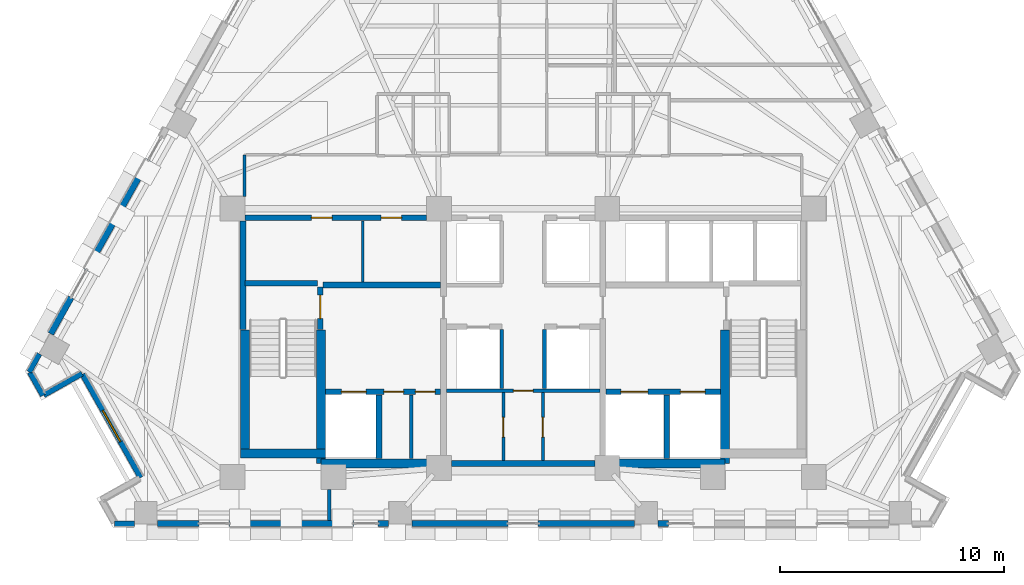
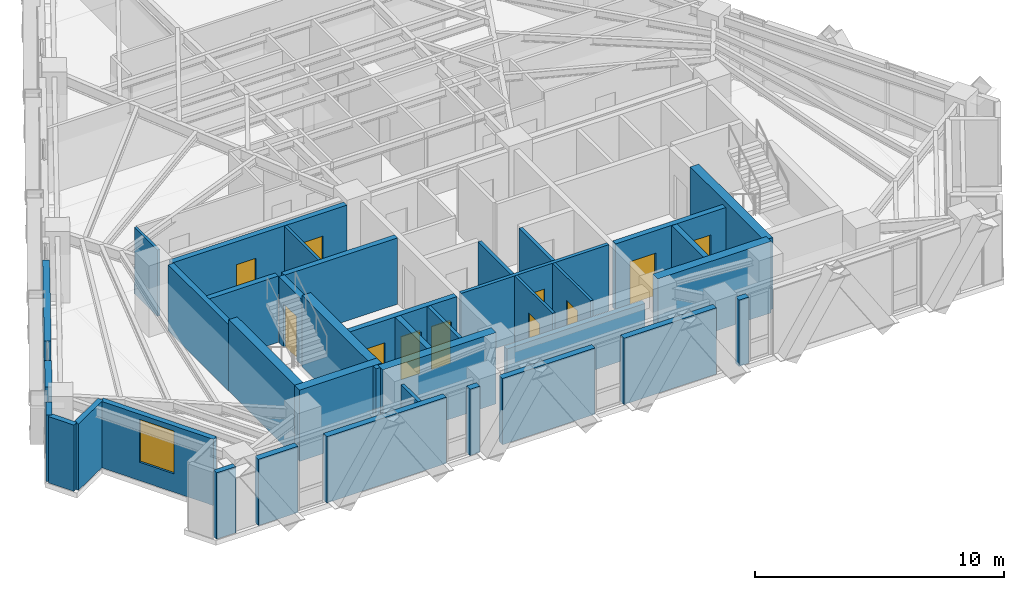
# One storey, part 7 of 14: 38 walls, 11 doors, 1 window, 12 openings.
"""IFC4 building model written with IfcOpenShell, lengths in metres."""

from ifc_helpers import new_model, si_unit, direction, frame, frame_2d, origin, place, context, subcontext, project, spatial, rectangle, extrude, material, layer, layer_set, type_object, element, fill, save


model = new_model("IFC4")

# Units and contexts
model_context = context("Model", 3, precision=1e-05, world=origin(), true_north=direction((0.0, 1.0)))
body_context = subcontext(model_context, "Body", "Model", "MODEL_VIEW")
ifc_project = project(units=[si_unit("LENGTHUNIT", "METRE"), si_unit("AREAUNIT", "SQUARE_METRE"), si_unit("VOLUMEUNIT", "CUBIC_METRE"), si_unit("PLANEANGLEUNIT", "RADIAN"), si_unit("MASSUNIT", "GRAM", prefix="KILO")], contexts=[model_context])

# Site, building, storey
site_placement = place(None, origin())
site = spatial("IfcSite", under=ifc_project, at=site_placement, CompositionType="ELEMENT")
building_placement = place(site_placement, origin())
building = spatial("IfcBuilding", under=site, at=building_placement, Name="Quenlor Broadcast Tower", CompositionType="ELEMENT")
storey_placement = place(building_placement, frame((0.0, 0.0, 168.5)))
storey = spatial("IfcBuildingStorey", under=building, at=storey_placement, Name="L46", CompositionType="ELEMENT", Elevation=168.5)

# Walls
ifc_material_1 = material(Name="Acoustic Double Stud Gypsum Partition", Category="other")
ifc_layer_1 = layer(ifc_material_1, 0.14990234375)
ifc_layer_set_1 = layer_set([ifc_layer_1], Name="Broadcast Studio Acoustic Partition 150")
wall_type_1 = type_object("IfcWallType", Name="Broadcast Studio Acoustic Partition 150", PredefinedType="PARTITIONING", material=ifc_layer_set_1)
wall_1_placement = place(storey_placement, frame((-8.634521484375, -17.302001953125, 0.0), z_axis=(0.0, 0.0, 1.0), x_axis=(0.0, -1.0, 0.0)))
element("IfcWall", 1, at=wall_1_placement, inside=storey, type_object=wall_type_1, Name="L46 Interior Wall PW-DV-07", PredefinedType="PARTITIONING", context=body_context, shape_type="SweptSolid", body=[
    extrude(rectangle(XDim=1.381103515625, YDim=0.14990234375, at=frame_2d((0.6904296875, 0.0))), origin(), (0.0, 0.0, 1.0), 3.25),
])
ifc_material_2 = material(Name="Concrete C50/60", Category="concrete")
ifc_layer_2 = layer(ifc_material_2, 0.39990234375)
ifc_layer_set_2 = layer_set([ifc_layer_2], Name="Core Concrete C50/60 Shear Wall 400")
wall_type_2 = type_object("IfcWallType", Name="Core Concrete C50/60 Shear Wall 400", PredefinedType="SHEAR", material=ifc_layer_set_2)
wall_2_placement = place(storey_placement, frame((-12.60009765625, -15.699951171875, 0.0), z_axis=(0.0, 0.0, 1.0), x_axis=(1.0, 0.0, 0.0)))
element("IfcWall", 2, at=wall_2_placement, inside=storey, type_object=wall_type_2, Name="L46 Core Shear Wall WS-W1", PredefinedType="SHEAR", context=body_context, shape_type="SweptSolid", body=[
    extrude(rectangle(XDim=3.800048828125, YDim=0.39990234375, at=frame_2d((1.89990234375, 0.0))), origin(), (0.0, 0.0, 1.0), 3.5),
])
for number, where, z_axis, x_axis, name in (
    (3, (-9.0, -16.14990234375, 0.0), (0.0, 0.0, 1.0), (1.0, 0.0, 0.0), "L46 Core Shear Wall WS-W2"),
    (4, (3.75, -16.14990234375, 0.0), (0.0, 0.0, 1.0), (1.0, 0.0, 0.0), "L46 Core Shear Wall WS-E1"),
):
    element("IfcWall", number, at=place(storey_placement, frame(where, z_axis=z_axis, x_axis=x_axis)), inside=storey, type_object=wall_type_2, Name=name, PredefinedType="SHEAR", context=body_context, shape_type="SweptSolid", body=[
        extrude(rectangle(XDim=5.25, YDim=0.39990234375, at=frame_2d((2.625, 0.0))), origin(), (0.0, 0.0, 1.0), 3.5),
    ])
wall_3_placement = place(storey_placement, frame((-12.39990234375, -15.699951171875, 0.0), z_axis=(0.0, 0.0, 1.0), x_axis=(0.0, 1.0, 0.0)))
element("IfcWall", 5, at=wall_3_placement, inside=storey, type_object=wall_type_2, Name="L46 Core Shear Wall WF-W", PredefinedType="SHEAR", context=body_context, shape_type="SweptSolid", body=[
    extrude(rectangle(XDim=5.5, YDim=0.39990234375, at=frame_2d((2.75, 0.0))), origin(), (0.0, 0.0, 1.0), 3.5),
])
for number, where, z_axis, x_axis, name in (
    (6, (-9.0, -16.14990234375, 0.0), (0.0, 0.0, 1.0), (0.0, 1.0, 0.0), "L46 Core Shear Wall WI-W"),
    (7, (9.0, -16.14990234375, 0.0), (0.0, 0.0, 1.0), (0.0, 1.0, 0.0), "L46 Core Shear Wall WI-E"),
):
    element("IfcWall", number, at=place(storey_placement, frame(where, z_axis=z_axis, x_axis=x_axis)), inside=storey, type_object=wall_type_2, Name=name, PredefinedType="SHEAR", context=body_context, shape_type="SweptSolid", body=[
        extrude(rectangle(XDim=5.949951171875, YDim=0.39990234375, at=frame_2d((2.97509765625, 0.0))), origin(), (0.0, 0.0, 1.0), 3.5),
    ])

# Wall, opening, door
ifc_material_3 = material(Name="Concrete C40/50", Category="concrete")
ifc_layer_3 = layer(ifc_material_3, 0.25)
ifc_layer_set_3 = layer_set([ifc_layer_3], Name="Fire Rated Concrete C40/50 Core Wall 250")
wall_type_3 = type_object("IfcWallType", Name="Fire Rated Concrete C40/50 Core Wall 250", PredefinedType="PARTITIONING", material=ifc_layer_set_3)
wall_4_placement = place(storey_placement, frame((-9.0400390625, -10.179931640625, 0.0), z_axis=(0.0, 0.0, 1.0), x_axis=(0.0, 1.0, 0.0)))
wall_4 = element("IfcWall", 8, at=wall_4_placement, inside=storey, type_object=wall_type_3, Name="L46 Interior Wall CW-ST1-DR", PredefinedType="PARTITIONING", context=body_context, shape_type="SweptSolid", body=[
    extrude(rectangle(XDim=1.89990234375, YDim=0.25, at=frame_2d((0.949951171875, 0.0))), origin(), (0.0, 0.0, 1.0), 3.25),
])
opening_1_placement = place(wall_4_placement, frame((0.47998046875, 0.0, 0.0)))
opening_1 = element("IfcOpeningElement", 9, at=opening_1_placement, cuts=wall_4, Name="Opening FD-1", PredefinedType="OPENING", context=body_context, shape_type="SweptSolid", body=[
    extrude(rectangle(XDim=1.050048828125, YDim=2.14990234375, at=frame_2d((0.52490234375, 1.074951171875))), frame((0.0, 0.135009765625, 0.0), z_axis=(0.0, -1.0, 0.0), x_axis=(1.0, 0.0, 0.0)), (0.0, 0.0, 1.0), 0.27001953125),
])
ifc_material_4 = material(Name="Fire Rated Steel Door Leaf", Category="steel")
door_type_1 = type_object("IfcDoorType", Name="Fire Isolated Stair Door 1050x2150", OperationType="NOTDEFINED", PredefinedType="DOOR", material=ifc_material_4)
door_1_placement = place(opening_1_placement, origin())
door_1 = element("IfcDoor", 10, at=door_1_placement, inside=storey, type_object=door_type_1, Name="L46 Door DR-ST1", OperationType="SINGLE_SWING_LEFT", OverallHeight=2.14990234375, OverallWidth=1.050048828125, PredefinedType="DOOR", context=body_context, shape_type="SweptSolid", body=[
    extrude(rectangle(XDim=1.050048828125, YDim=2.14990234375, at=frame_2d((0.52490234375, 1.074951171875))), frame((0.0, 0.02490234375, 0.0), z_axis=(0.0, -1.0, 0.0), x_axis=(1.0, 0.0, 0.0)), (0.0, 0.0, 1.0), 0.050048828125),
])
fill(opening_1, door_1)

# Walls
wall_5_placement = place(storey_placement, frame((-12.3798828125, -8.1201171875, 0.0), z_axis=(0.0, 0.0, 1.0), x_axis=(1.0, 0.0, 0.0)))
element("IfcWall", 11, at=wall_5_placement, inside=storey, type_object=wall_type_3, Name="L46 Interior Wall CW-ST1-N", PredefinedType="PARTITIONING", context=body_context, shape_type="SweptSolid", body=[
    extrude(rectangle(XDim=3.219970703125, YDim=0.25, at=frame_2d((1.60986328125, 0.0))), origin(), (0.0, 0.0, 1.0), 3.25),
])
wall_6_placement = place(storey_placement, frame((-12.47998046875, -10.179931640625, 0.0), z_axis=(0.0, 0.0, 1.0), x_axis=(0.0, 1.0, 0.0)))
element("IfcWall", 12, at=wall_6_placement, inside=storey, type_object=wall_type_3, Name="L46 Interior Wall CW-ST1-W2", PredefinedType="PARTITIONING", context=body_context, shape_type="SweptSolid", body=[
    extrude(rectangle(XDim=4.827880859375, YDim=0.25, at=frame_2d((2.4140625, 0.0))), origin(), (0.0, 0.0, 1.0), 3.25),
])

# Wall, openings, doors
wall_7_placement = place(storey_placement, frame((-8.798095703125, -12.949951171875, 0.0), z_axis=(0.0, 0.0, 1.0), x_axis=(1.0, 0.0, 0.0)))
wall_7 = element("IfcWall", 13, at=wall_7_placement, inside=storey, type_object=wall_type_3, Name="L46 Interior Wall CW-FFW-S", PredefinedType="PARTITIONING", context=body_context, shape_type="SweptSolid", body=[
    extrude(rectangle(XDim=5.1181640625, YDim=0.25, at=frame_2d((2.55908203125, 0.0))), origin(), (0.0, 0.0, 1.0), 3.25),
])
opening_2_placement = place(wall_7_placement, frame((0.697998046875, 0.0, 0.0)))
opening_2 = element("IfcOpeningElement", 14, at=opening_2_placement, cuts=wall_7, Name="Opening LD-FFL-1", PredefinedType="OPENING", context=body_context, shape_type="SweptSolid", body=[
    extrude(rectangle(XDim=1.10009765625, YDim=2.14990234375, at=frame_2d((0.550048828125, 1.074951171875))), frame((0.0, 0.135009765625, 0.0), z_axis=(0.0, -1.0, 0.0), x_axis=(1.0, 0.0, 0.0)), (0.0, 0.0, 1.0), 0.27001953125),
])
opening_3_placement = place(wall_7_placement, frame((2.597900390625, 0.0, 0.0)))
opening_3 = element("IfcOpeningElement", 15, at=opening_3_placement, cuts=wall_7, Name="Opening TD-1", PredefinedType="OPENING", context=body_context, shape_type="SweptSolid", body=[
    extrude(rectangle(XDim=0.8798828125, YDim=2.10009765625, at=frame_2d((0.43994140625, 1.050048828125))), frame((0.0, 0.135009765625, 0.0), z_axis=(0.0, -1.0, 0.0), x_axis=(1.0, 0.0, 0.0)), (0.0, 0.0, 1.0), 0.27001953125),
])
opening_4_placement = place(wall_7_placement, frame((3.998046875, 0.0, 0.0)))
opening_4 = element("IfcOpeningElement", 16, at=opening_4_placement, cuts=wall_7, Name="Opening TD-1", PredefinedType="OPENING", context=body_context, shape_type="SweptSolid", body=[
    extrude(rectangle(XDim=0.8798828125, YDim=2.10009765625, at=frame_2d((0.43994140625, 1.050048828125))), frame((0.0, 0.135009765625, 0.0), z_axis=(0.0, -1.0, 0.0), x_axis=(1.0, 0.0, 0.0)), (0.0, 0.0, 1.0), 0.27001953125),
])
ifc_material_5 = material(Name="Brushed Stainless Steel", Category="steel")
door_type_2 = type_object("IfcDoorType", Name="Emergency Lift Sliding Landing Door 1100x2150", OperationType="NOTDEFINED", PredefinedType="DOOR", material=ifc_material_5)
door_2_placement = place(opening_2_placement, origin())
door_2 = element("IfcDoor", 17, at=door_2_placement, inside=storey, type_object=door_type_2, Name="L46 Door LD-FFL-1", OperationType="SLIDING_TO_LEFT", OverallHeight=2.14990234375, OverallWidth=1.10009765625, PredefinedType="DOOR", context=body_context, shape_type="SweptSolid", body=[
    extrude(rectangle(XDim=1.10009765625, YDim=2.14990234375, at=frame_2d((0.550048828125, 1.074951171875))), frame((0.0, 0.02490234375, 0.0), z_axis=(0.0, -1.0, 0.0), x_axis=(1.0, 0.0, 0.0)), (0.0, 0.0, 1.0), 0.050048828125),
])
fill(opening_2, door_2)
ifc_material_6 = material(Name="Fire Rated Steel Access Panel", Category="steel")
door_type_3 = type_object("IfcDoorType", Name="Riser Shaft Rated Access Trapdoor 880x2100", OperationType="NOTDEFINED", PredefinedType="TRAPDOOR", material=ifc_material_6)
door_3_placement = place(opening_3_placement, origin())
door_3 = element("IfcDoor", 18, at=door_3_placement, inside=storey, type_object=door_type_3, Name="L46 Door DR-ELR", OperationType="SINGLE_SWING_LEFT", OverallHeight=2.10009765625, OverallWidth=0.8798828125, PredefinedType="TRAPDOOR", context=body_context, shape_type="SweptSolid", body=[
    extrude(rectangle(XDim=0.8798828125, YDim=2.10009765625, at=frame_2d((0.43994140625, 1.050048828125))), frame((0.0, 0.02490234375, 0.0), z_axis=(0.0, -1.0, 0.0), x_axis=(1.0, 0.0, 0.0)), (0.0, 0.0, 1.0), 0.050048828125),
])
fill(opening_3, door_3)
door_4_placement = place(opening_4_placement, origin())
door_4 = element("IfcDoor", 19, at=door_4_placement, inside=storey, type_object=door_type_3, Name="L46 Door DR-CMR", OperationType="SINGLE_SWING_RIGHT", OverallHeight=2.10009765625, OverallWidth=0.8798828125, PredefinedType="TRAPDOOR", context=body_context, shape_type="SweptSolid", body=[
    extrude(rectangle(XDim=0.8798828125, YDim=2.10009765625, at=frame_2d((0.43994140625, 1.050048828125))), frame((0.0, 0.02490234375, 0.0), z_axis=(0.0, -1.0, 0.0), x_axis=(1.0, 0.0, 0.0)), (0.0, 0.0, 1.0), 0.050048828125),
])
fill(opening_4, door_4)

wall_8_placement = place(storey_placement, frame((3.679931640625, -12.949951171875, 0.0), z_axis=(0.0, 0.0, 1.0), x_axis=(1.0, 0.0, 0.0)))
wall_8 = element("IfcWall", 20, at=wall_8_placement, inside=storey, type_object=wall_type_3, Name="L46 Interior Wall CW-FFE-S", PredefinedType="PARTITIONING", context=body_context, shape_type="SweptSolid", body=[
    extrude(rectangle(XDim=5.1181640625, YDim=0.25, at=frame_2d((2.55908203125, 0.0))), origin(), (0.0, 0.0, 1.0), 3.25),
])
opening_5_placement = place(wall_8_placement, frame((3.320068359375, 0.0, 0.0)))
opening_5 = element("IfcOpeningElement", 21, at=opening_5_placement, cuts=wall_8, Name="Opening LD-FFL-2", PredefinedType="OPENING", context=body_context, shape_type="SweptSolid", body=[
    extrude(rectangle(XDim=1.10009765625, YDim=2.14990234375, at=frame_2d((0.550048828125, 1.074951171875))), frame((0.0, 0.135009765625, 0.0), z_axis=(0.0, -1.0, 0.0), x_axis=(1.0, 0.0, 0.0)), (0.0, 0.0, 1.0), 0.27001953125),
])
opening_6_placement = place(wall_8_placement, frame((0.669921875, 0.0, 0.0)))
opening_6 = element("IfcOpeningElement", 22, at=opening_6_placement, cuts=wall_8, Name="Opening LD-SVL-1", PredefinedType="OPENING", context=body_context, shape_type="SweptSolid", body=[
    extrude(rectangle(XDim=1.199951171875, YDim=2.14990234375, at=frame_2d((0.60009765625, 1.074951171875))), frame((0.0, 0.135009765625, 0.0), z_axis=(0.0, -1.0, 0.0), x_axis=(1.0, 0.0, 0.0)), (0.0, 0.0, 1.0), 0.27001953125),
])
door_5_placement = place(opening_5_placement, origin())
door_5 = element("IfcDoor", 23, at=door_5_placement, inside=storey, type_object=door_type_2, Name="L46 Door LD-FFL-2", OperationType="SLIDING_TO_RIGHT", OverallHeight=2.14990234375, OverallWidth=1.10009765625, PredefinedType="DOOR", context=body_context, shape_type="SweptSolid", body=[
    extrude(rectangle(XDim=1.10009765625, YDim=2.14990234375, at=frame_2d((0.550048828125, 1.074951171875))), frame((0.0, 0.02490234375, 0.0), z_axis=(0.0, -1.0, 0.0), x_axis=(1.0, 0.0, 0.0)), (0.0, 0.0, 1.0), 0.050048828125),
])
fill(opening_5, door_5)
ifc_material_7 = material(Name="Brushed Stainless Steel", Category="steel")
door_type_4 = type_object("IfcDoorType", Name="Goods Lift Sliding Landing Door 1200x2150", OperationType="NOTDEFINED", PredefinedType="DOOR", material=ifc_material_7)
door_6_placement = place(opening_6_placement, origin())
door_6 = element("IfcDoor", 24, at=door_6_placement, inside=storey, type_object=door_type_4, Name="L46 Door LD-SVL-1", OperationType="SLIDING_TO_LEFT", OverallHeight=2.14990234375, OverallWidth=1.199951171875, PredefinedType="DOOR", context=body_context, shape_type="SweptSolid", body=[
    extrude(rectangle(XDim=1.199951171875, YDim=2.14990234375, at=frame_2d((0.60009765625, 1.074951171875))), frame((0.0, 0.02490234375, 0.0), z_axis=(0.0, -1.0, 0.0), x_axis=(1.0, 0.0, 0.0)), (0.0, 0.0, 1.0), 0.050048828125),
])
fill(opening_6, door_6)

# Walls
for number, where, z_axis, x_axis, name in (
    (25, (-6.419921875, -15.919921875, 0.0), (0.0, 0.0, 1.0), (0.0, 1.0, 0.0), "L46 Interior Wall CW-FF1-E"),
    (26, (6.39990234375, -15.919921875, 0.0), (0.0, 0.0, 1.0), (0.0, 1.0, 0.0), "L46 Interior Wall CW-SV1-E"),
):
    element("IfcWall", number, at=place(storey_placement, frame(where, z_axis=z_axis, x_axis=x_axis)), inside=storey, type_object=wall_type_3, Name=name, PredefinedType="PARTITIONING", context=body_context, shape_type="SweptSolid", body=[
        extrude(rectangle(XDim=2.829833984375, YDim=0.25, at=frame_2d((1.4150390625, 0.0))), origin(), (0.0, 0.0, 1.0), 3.25),
    ])
wall_9_placement = place(storey_placement, frame((-8.919921875, -8.199951171875, 0.0), z_axis=(0.0, 0.0, 1.0), x_axis=(1.0, 0.0, 0.0)))
element("IfcWall", 27, at=wall_9_placement, inside=storey, type_object=wall_type_3, Name="L46 Interior Wall CW-FFW-N", PredefinedType="PARTITIONING", context=body_context, shape_type="SweptSolid", body=[
    extrude(rectangle(XDim=5.239990234375, YDim=0.25, at=frame_2d((2.6201171875, 0.0))), origin(), (0.0, 0.0, 1.0), 3.25),
])

# Wall, openings, doors
wall_10_placement = place(storey_placement, frame((-12.39794921875, -5.199951171875, 0.0), z_axis=(0.0, 0.0, 1.0), x_axis=(1.0, 0.0, 0.0)))
wall_10 = element("IfcWall", 28, at=wall_10_placement, inside=storey, type_object=wall_type_3, Name="L46 Interior Wall CW-N-W", PredefinedType="PARTITIONING", context=body_context, shape_type="SweptSolid", body=[
    extrude(rectangle(XDim=8.095947265625, YDim=0.25, at=frame_2d((4.0478515625, 0.0))), origin(), (0.0, 0.0, 1.0), 3.25),
])
opening_7_placement = place(wall_10_placement, frame((2.968017578125, 0.0, 0.0)))
opening_7 = element("IfcOpeningElement", 29, at=opening_7_placement, cuts=wall_10, Name="Opening ID-1", PredefinedType="OPENING", context=body_context, shape_type="SweptSolid", body=[
    extrude(rectangle(XDim=0.919921875, YDim=2.1201171875, at=frame_2d((0.4599609375, 1.06005859375))), frame((0.0, 0.135009765625, 0.0), z_axis=(0.0, -1.0, 0.0), x_axis=(1.0, 0.0, 0.0)), (0.0, 0.0, 1.0), 0.27001953125),
])
opening_8_placement = place(wall_10_placement, frame((6.068115234375, 0.0, 0.0)))
opening_8 = element("IfcOpeningElement", 30, at=opening_8_placement, cuts=wall_10, Name="Opening ID-1", PredefinedType="OPENING", context=body_context, shape_type="SweptSolid", body=[
    extrude(rectangle(XDim=0.919921875, YDim=2.1201171875, at=frame_2d((0.4599609375, 1.06005859375))), frame((0.0, 0.135009765625, 0.0), z_axis=(0.0, -1.0, 0.0), x_axis=(1.0, 0.0, 0.0)), (0.0, 0.0, 1.0), 0.27001953125),
])
ifc_material_8 = material(Name="Solid Core Timber Oak", Category="wood")
door_type_5 = type_object("IfcDoorType", Name="Single Leaf Timber Office Door 920x2120", OperationType="NOTDEFINED", PredefinedType="DOOR", material=ifc_material_8)
door_7_placement = place(opening_7_placement, origin())
door_7 = element("IfcDoor", 31, at=door_7_placement, inside=storey, type_object=door_type_5, Name="L46 Door DR-RCL1", OperationType="SINGLE_SWING_LEFT", OverallHeight=2.1201171875, OverallWidth=0.919921875, PredefinedType="DOOR", context=body_context, shape_type="SweptSolid", body=[
    extrude(rectangle(XDim=0.919921875, YDim=2.1201171875, at=frame_2d((0.4599609375, 1.06005859375))), frame((0.0, 0.02490234375, 0.0), z_axis=(0.0, -1.0, 0.0), x_axis=(1.0, 0.0, 0.0)), (0.0, 0.0, 1.0), 0.050048828125),
])
fill(opening_7, door_7)
door_8_placement = place(opening_8_placement, origin())
door_8 = element("IfcDoor", 32, at=door_8_placement, inside=storey, type_object=door_type_5, Name="L46 Door DR-RCL2", OperationType="SINGLE_SWING_RIGHT", OverallHeight=2.1201171875, OverallWidth=0.919921875, PredefinedType="DOOR", context=body_context, shape_type="SweptSolid", body=[
    extrude(rectangle(XDim=0.919921875, YDim=2.1201171875, at=frame_2d((0.4599609375, 1.06005859375))), frame((0.0, 0.02490234375, 0.0), z_axis=(0.0, -1.0, 0.0), x_axis=(1.0, 0.0, 0.0)), (0.0, 0.0, 1.0), 0.050048828125),
])
fill(opening_8, door_8)

# Walls
wall_11_placement = place(storey_placement, frame((-3.197998046875, -16.14990234375, 0.0), z_axis=(0.0, 0.0, 1.0), x_axis=(1.0, 0.0, 0.0)))
element("IfcWall", 33, at=wall_11_placement, inside=storey, type_object=wall_type_3, Name="L46 Interior Wall CW-MS-S", PredefinedType="PARTITIONING", context=body_context, shape_type="SweptSolid", body=[
    extrude(rectangle(XDim=6.39599609375, YDim=0.25, at=frame_2d((3.197998046875, 0.0))), origin(), (0.0, 0.0, 1.0), 2.449951171875),
])
ifc_material_9 = material(Name="Gypsum Fireboard Partition", Category="other")
ifc_layer_4 = layer(ifc_material_9, 0.159912109375)
ifc_layer_set_4 = layer_set([ifc_layer_4], Name="Fire Rated Shaft and Corridor Partition 160")
wall_type_4 = type_object("IfcWallType", Name="Fire Rated Shaft and Corridor Partition 160", PredefinedType="PARTITIONING", material=ifc_layer_set_4)
wall_12_placement = place(storey_placement, frame((-4.97998046875, -15.919921875, 0.0), z_axis=(0.0, 0.0, 1.0), x_axis=(0.0, 1.0, 0.0)))
element("IfcWall", 34, at=wall_12_placement, inside=storey, type_object=wall_type_4, Name="L46 Interior Wall CW-ELR-E", PredefinedType="PARTITIONING", context=body_context, shape_type="SweptSolid", body=[
    extrude(rectangle(XDim=2.829833984375, YDim=0.159912109375, at=frame_2d((1.4150390625, 0.0))), origin(), (0.0, 0.0, 1.0), 3.25),
])

# Wall, opening, door
wall_13_placement = place(storey_placement, frame((-3.419921875, -12.89990234375, 0.0), z_axis=(0.0, 0.0, 1.0), x_axis=(1.0, 0.0, 0.0)))
wall_13 = element("IfcWall", 35, at=wall_13_placement, inside=storey, type_object=wall_type_4, Name="L46 Interior Wall CW-MS-B", PredefinedType="PARTITIONING", context=body_context, shape_type="SweptSolid", body=[
    extrude(rectangle(XDim=6.83984375, YDim=0.159912109375, at=frame_2d((3.419921875, 0.0))), origin(), (0.0, 0.0, 1.0), 3.25),
])
opening_9_placement = place(wall_13_placement, frame((2.97998046875, 0.0, 0.0)))
opening_9 = element("IfcOpeningElement", 36, at=opening_9_placement, cuts=wall_13, Name="Opening ID-4", PredefinedType="OPENING", context=body_context, shape_type="SweptSolid", body=[
    extrude(rectangle(XDim=0.8798828125, YDim=2.1201171875, at=frame_2d((0.43994140625, 1.06005859375))), frame((0.0, 0.08984375, 0.0), z_axis=(0.0, -1.0, 0.0), x_axis=(1.0, 0.0, 0.0)), (0.0, 0.0, 1.0), 0.179931640625),
])
ifc_material_10 = material(Name="Solid Core Timber Oak", Category="wood")
door_type_6 = type_object("IfcDoorType", Name="Service Closet Timber Door 880x2120", OperationType="NOTDEFINED", PredefinedType="DOOR", material=ifc_material_10)
door_9_placement = place(opening_9_placement, origin())
door_9 = element("IfcDoor", 37, at=door_9_placement, inside=storey, type_object=door_type_6, Name="L46 Door DR-CSV0", OperationType="SINGLE_SWING_LEFT", OverallHeight=2.1201171875, OverallWidth=0.8798828125, PredefinedType="DOOR", context=body_context, shape_type="SweptSolid", body=[
    extrude(rectangle(XDim=0.8798828125, YDim=2.1201171875, at=frame_2d((0.43994140625, 1.06005859375))), frame((0.0, 0.02490234375, 0.0), z_axis=(0.0, -1.0, 0.0), x_axis=(1.0, 0.0, 0.0)), (0.0, 0.0, 1.0), 0.050048828125),
])
fill(opening_9, door_9)

# Walls
for number, where, z_axis, x_axis, name in (
    (38, (-0.949951171875, -12.818115234375, 0.0), (0.0, 0.0, 1.0), (0.0, 1.0, 0.0), "L46 Interior Wall CW-MS-W"),
    (39, (0.949951171875, -12.818115234375, 0.0), (0.0, 0.0, 1.0), (0.0, 1.0, 0.0), "L46 Interior Wall CW-MS-E"),
):
    element("IfcWall", number, at=place(storey_placement, frame(where, z_axis=z_axis, x_axis=x_axis)), inside=storey, type_object=wall_type_4, Name=name, PredefinedType="PARTITIONING", context=body_context, shape_type="SweptSolid", body=[
        extrude(rectangle(XDim=2.63818359375, YDim=0.159912109375, at=frame_2d((1.319091796875, 0.0))), origin(), (0.0, 0.0, 1.0), 3.25),
    ])
ifc_material_11 = material(Name="Gypsum Plasterboard Partition", Category="other")
ifc_layer_5 = layer(ifc_material_11, 0.1201171875)
ifc_layer_set_5 = layer_set([ifc_layer_5], Name="Standard Office Partition 120")
wall_type_5 = type_object("IfcWallType", Name="Standard Office Partition 120", PredefinedType="PARTITIONING", material=ifc_layer_set_5)
wall_14_placement = place(storey_placement, frame((-7.14990234375, -8.072998046875, 0.0), z_axis=(0.0, 0.0, 1.0), x_axis=(0.0, 1.0, 0.0)))
element("IfcWall", 40, at=wall_14_placement, inside=storey, type_object=wall_type_5, Name="L46 Interior Wall CW-RCL-MID", PredefinedType="PARTITIONING", context=body_context, shape_type="SweptSolid", body=[
    extrude(rectangle(XDim=2.73291015625, YDim=0.1201171875, at=frame_2d((1.366455078125, 0.0))), origin(), (0.0, 0.0, 1.0), 3.25),
])

# Wall, opening, door
wall_15_placement = place(storey_placement, frame((-0.8798828125, -16.02001953125, 0.0), z_axis=(0.0, 0.0, 1.0), x_axis=(0.0, 1.0, 0.0)))
wall_15 = element("IfcWall", 41, at=wall_15_placement, inside=storey, type_object=wall_type_5, Name="L46 Interior Wall CW-CSV-W3", PredefinedType="PARTITIONING", context=body_context, shape_type="SweptSolid", body=[
    extrude(rectangle(XDim=3.0380859375, YDim=0.1201171875, at=frame_2d((1.51904296875, 0.0))), origin(), (0.0, 0.0, 1.0), 3.25),
])
opening_10_placement = place(wall_15_placement, frame((1.050048828125, 0.0, 0.0)))
opening_10 = element("IfcOpeningElement", 42, at=opening_10_placement, cuts=wall_15, Name="Opening ID-4", PredefinedType="OPENING", context=body_context, shape_type="SweptSolid", body=[
    extrude(rectangle(XDim=0.8798828125, YDim=2.1201171875, at=frame_2d((0.43994140625, 1.06005859375))), frame((0.0, 0.070068359375, 0.0), z_axis=(0.0, -1.0, 0.0), x_axis=(1.0, 0.0, 0.0)), (0.0, 0.0, 1.0), 0.14013671875),
])
door_10_placement = place(opening_10_placement, origin())
door_10 = element("IfcDoor", 43, at=door_10_placement, inside=storey, type_object=door_type_6, Name="L46 Door DR-CSV1", OperationType="SINGLE_SWING_LEFT", OverallHeight=2.1201171875, OverallWidth=0.8798828125, PredefinedType="DOOR", context=body_context, shape_type="SweptSolid", body=[
    extrude(rectangle(XDim=0.8798828125, YDim=2.1201171875, at=frame_2d((0.43994140625, 1.06005859375))), frame((0.0, 0.02490234375, 0.0), z_axis=(0.0, -1.0, 0.0), x_axis=(1.0, 0.0, 0.0)), (0.0, 0.0, 1.0), 0.050048828125),
])
fill(opening_10, door_10)

wall_16_placement = place(storey_placement, frame((0.8798828125, -16.02001953125, 0.0), z_axis=(0.0, 0.0, 1.0), x_axis=(0.0, 1.0, 0.0)))
wall_16 = element("IfcWall", 44, at=wall_16_placement, inside=storey, type_object=wall_type_5, Name="L46 Interior Wall CW-CSV-E3", PredefinedType="PARTITIONING", context=body_context, shape_type="SweptSolid", body=[
    extrude(rectangle(XDim=3.0380859375, YDim=0.1201171875, at=frame_2d((1.51904296875, 0.0))), origin(), (0.0, 0.0, 1.0), 3.25),
])
opening_11_placement = place(wall_16_placement, frame((1.050048828125, 0.0, 0.0)))
opening_11 = element("IfcOpeningElement", 45, at=opening_11_placement, cuts=wall_16, Name="Opening ID-4", PredefinedType="OPENING", context=body_context, shape_type="SweptSolid", body=[
    extrude(rectangle(XDim=0.8798828125, YDim=2.1201171875, at=frame_2d((0.43994140625, 1.06005859375))), frame((0.0, 0.070068359375, 0.0), z_axis=(0.0, -1.0, 0.0), x_axis=(1.0, 0.0, 0.0)), (0.0, 0.0, 1.0), 0.14013671875),
])
door_11_placement = place(opening_11_placement, origin())
door_11 = element("IfcDoor", 46, at=door_11_placement, inside=storey, type_object=door_type_6, Name="L46 Door DR-CSV2", OperationType="SINGLE_SWING_RIGHT", OverallHeight=2.1201171875, OverallWidth=0.8798828125, PredefinedType="DOOR", context=body_context, shape_type="SweptSolid", body=[
    extrude(rectangle(XDim=0.8798828125, YDim=2.1201171875, at=frame_2d((0.43994140625, 1.06005859375))), frame((0.0, 0.02490234375, 0.0), z_axis=(0.0, -1.0, 0.0), x_axis=(1.0, 0.0, 0.0)), (0.0, 0.0, 1.0), 0.050048828125),
])
fill(opening_11, door_11)

# Walls
wall_17_placement = place(storey_placement, frame((-12.409912109375, -4.248046875, 0.0), z_axis=(0.0, 0.0, 1.0), x_axis=(0.0, 1.0, 0.0)))
element("IfcWall", 47, at=wall_17_placement, inside=storey, type_object=wall_type_5, Name="L46 Interior Wall PW-CR-01", PredefinedType="PARTITIONING", context=body_context, shape_type="SweptSolid", body=[
    extrude(rectangle(XDim=1.84814453125, YDim=0.1201171875, at=frame_2d((0.924072265625, 0.0))), origin(), (0.0, 0.0, 1.0), 3.25),
])
ifc_material_12 = material(Name="Precast concrete C40/50", Category="concrete")
ifc_layer_6 = layer(ifc_material_12, 0.239990234375)
ifc_layer_set_6 = layer_set([ifc_layer_6], Name="Terrace Threshold Precast Concrete C40/50 Wall 240")
wall_type_6 = type_object("IfcWallType", Name="Terrace Threshold Precast Concrete C40/50 Wall 240", PredefinedType="STANDARD", material=ifc_layer_set_6)
wall_18_placement = place(storey_placement, frame((-17.3134765625, -18.824951171875, 0.0), z_axis=(0.0, 0.0, 1.0), x_axis=(-1.0, 0.0, 0.0)))
element("IfcWall", 48, at=wall_18_placement, inside=storey, type_object=wall_type_6, Name="L46 Exterior Wall L46-SHD-SS1", PredefinedType="STANDARD", context=body_context, shape_type="SweptSolid", body=[
    extrude(rectangle(XDim=0.896484375, YDim=0.239990234375, at=frame_2d((0.4482421875, 0.0))), origin(), (0.0, 0.0, 1.0), 3.25),
])
wall_19_placement = place(storey_placement, frame((-22.003173828125, -12.073486328125, 0.0), z_axis=(0.0, 0.0, 1.0), x_axis=(0.490248718924, 0.871582579905, 0.0)))
element("IfcWall", 49, at=wall_19_placement, inside=storey, type_object=wall_type_6, Name="L46 Exterior Wall L46-SHD-NWS0", PredefinedType="STANDARD", context=body_context, shape_type="SweptSolid", body=[
    extrude(rectangle(XDim=0.92578125, YDim=0.239990234375, at=frame_2d((0.462890625, 0.0))), origin(), (0.0, 0.0, 1.0), 3.25),
])
wall_20_placement = place(storey_placement, frame((-21.976806640625, -12.08349609375, 0.0), z_axis=(0.0, 0.0, 1.0), x_axis=(0.490154352582, -0.871635652463, 0.0)))
element("IfcWall", 50, at=wall_20_placement, inside=storey, type_object=wall_type_6, Name="L46 Exterior Wall L46-CNR-12", PredefinedType="STANDARD", context=body_context, shape_type="SweptSolid", body=[
    extrude(rectangle(XDim=1.19287109375, YDim=0.239990234375, at=frame_2d((0.596435546875, 0.0))), origin(), (0.0, 0.0, 1.0), 3.25),
])
wall_21_placement = place(storey_placement, frame((-21.357421875, -13.103515625, 0.0), z_axis=(0.0, 0.0, 1.0), x_axis=(0.871595493845, 0.490225759328, 0.0)))
element("IfcWall", 51, at=wall_21_placement, inside=storey, type_object=wall_type_6, Name="L46 Exterior Wall L46-CNR-13", PredefinedType="STANDARD", context=body_context, shape_type="SweptSolid", body=[
    extrude(rectangle(XDim=1.960205078125, YDim=0.239990234375, at=frame_2d((0.97998046875, 0.0))), origin(), (0.0, 0.0, 1.0), 3.25),
])

# Wall, opening, window
wall_22_placement = place(storey_placement, frame((-19.62939453125, -12.177490234375, 0.0), z_axis=(0.0, 0.0, 1.0), x_axis=(0.490276606961, -0.871566892824, 0.0)))
wall_22 = element("IfcWall", 52, at=wall_22_placement, inside=storey, type_object=wall_type_6, Name="L46 Exterior Wall L46-CNR-14", PredefinedType="STANDARD", context=body_context, shape_type="SweptSolid", body=[
    extrude(rectangle(XDim=5.280029296875, YDim=0.239990234375, at=frame_2d((2.64013671875, 0.0))), origin(), (0.0, 0.0, 1.0), 3.25),
])
opening_12_placement = place(wall_22_placement, frame((1.840087890625, 0.0, 0.89990234375)))
opening_12 = element("IfcOpeningElement", 53, at=opening_12_placement, cuts=wall_22, Name="Opening WN-2", PredefinedType="OPENING", context=body_context, shape_type="SweptSolid", body=[
    extrude(rectangle(XDim=1.60009765625, YDim=2.10009765625, at=frame_2d((0.800048828125, 1.050048828125))), frame((0.0, 0.1298828125, 0.0), z_axis=(0.0, -1.0, 0.0), x_axis=(1.0, 0.0, 0.0)), (0.0, 0.0, 1.0), 0.260009765625),
])
ifc_material_13 = material(Name="Thermally Broken Aluminium and Low-E Glass", Category="aluminium")
window_type = type_object("IfcWindowType", Name="Tower Studio Punched Window 1600x2100", PartitioningType="SINGLE_PANEL", PredefinedType="WINDOW", material=ifc_material_13)
window_placement = place(opening_12_placement, origin())
window = element("IfcWindow", 54, at=window_placement, inside=storey, type_object=window_type, Name="L46 Corner Chamfer Window 14", OverallHeight=2.10009765625, OverallWidth=1.60009765625, PartitioningType="SINGLE_PANEL", PredefinedType="WINDOW", context=body_context, shape_type="SweptSolid", body=[
    extrude(rectangle(XDim=1.60009765625, YDim=2.10009765625, at=frame_2d((0.800048828125, 1.050048828125))), frame((0.0, 0.030029296875, 0.0), z_axis=(0.0, -1.0, 0.0), x_axis=(1.0, 0.0, 0.0)), (0.0, 0.0, 1.0), 0.06005859375),
])
fill(opening_12, window)

# Walls
ifc_material_14 = material(Name="Precast concrete C40/50", Category="concrete")
ifc_layer_7 = layer(ifc_material_14, 0.280029296875)
ifc_layer_set_7 = layer_set([ifc_layer_7], Name="Terracotta Precast Concrete C40/50 Facade Wall 280")
wall_type_7 = type_object("IfcWallType", Name="Terracotta Precast Concrete C40/50 Facade Wall 280", PredefinedType="STANDARD", material=ifc_layer_set_7)
for number, where, z_axis, x_axis, name in (
    (55, (6.466064453125, -18.824951171875, 0.0), (0.0, 0.0, 1.0), (-1.0, 0.0, 0.0), "L46 Exterior Wall L46-SA-SP3"),
    (56, (-6.006103515625, -18.824951171875, 0.0), (0.0, 0.0, 1.0), (-1.0, 0.0, 0.0), "L46 Exterior Wall L46-SC-SP1"),
):
    element("IfcWall", number, at=place(storey_placement, frame(where, z_axis=z_axis, x_axis=x_axis)), inside=storey, type_object=wall_type_7, Name=name, PredefinedType="STANDARD", context=body_context, shape_type="SweptSolid", body=[
        extrude(rectangle(XDim=0.4599609375, YDim=0.280029296875, at=frame_2d((0.22998046875, 0.0))), origin(), (0.0, 0.0, 1.0), 3.25),
    ])
wall_23_placement = place(storey_placement, frame((-7.556884765625, -18.824951171875, 0.0), z_axis=(0.0, 0.0, 1.0), x_axis=(-1.0, 0.0, 0.0)))
element("IfcWall", 57, at=wall_23_placement, inside=storey, type_object=wall_type_7, Name="L46 Exterior Wall L46-SC-SP2", PredefinedType="STANDARD", context=body_context, shape_type="SweptSolid", body=[
    extrude(rectangle(XDim=5.550048828125, YDim=0.280029296875, at=frame_2d((2.77490234375, 0.0))), origin(), (0.0, 0.0, 1.0), 3.25),
])
wall_24_placement = place(storey_placement, frame((-14.445068359375, -18.824951171875, 0.0), z_axis=(0.0, 0.0, 1.0), x_axis=(-1.0, 0.0, 0.0)))
element("IfcWall", 58, at=wall_24_placement, inside=storey, type_object=wall_type_7, Name="L46 Exterior Wall L46-SC-SP3", PredefinedType="STANDARD", context=body_context, shape_type="SweptSolid", body=[
    extrude(rectangle(XDim=1.83837890625, YDim=0.280029296875, at=frame_2d((0.919189453125, 0.0))), origin(), (0.0, 0.0, 1.0), 3.25),
])
for number, where, z_axis, x_axis, name in (
    (59, (4.9609375, -18.824951171875, 0.0), (0.0, 0.0, 1.0), (-1.0, 0.0, 0.0), "L46 Exterior Wall L46-S-SP1"),
    (60, (-0.6689453125, -18.824951171875, 0.0), (0.0, 0.0, 1.0), (-1.0, 0.0, 0.0), "L46 Exterior Wall L46-S-SP2"),
):
    element("IfcWall", number, at=place(storey_placement, frame(where, z_axis=z_axis, x_axis=x_axis)), inside=storey, type_object=wall_type_7, Name=name, PredefinedType="STANDARD", context=body_context, shape_type="SweptSolid", body=[
        extrude(rectangle(XDim=4.2919921875, YDim=0.280029296875, at=frame_2d((2.14599609375, 0.0))), origin(), (0.0, 0.0, 1.0), 3.25),
    ])
wall_25_placement = place(storey_placement, frame((-21.044189453125, -10.368896484375, 0.0), z_axis=(0.0, 0.0, 1.0), x_axis=(0.490248749158, 0.871582562899, 0.0)))
element("IfcWall", 61, at=wall_25_placement, inside=storey, type_object=wall_type_7, Name="L46 Exterior Wall L46-NWA-SP1", PredefinedType="STANDARD", context=body_context, shape_type="SweptSolid", body=[
    extrude(rectangle(XDim=1.85595703125, YDim=0.280029296875, at=frame_2d((0.927978515625, 0.0))), origin(), (0.0, 0.0, 1.0), 3.25),
])
wall_26_placement = place(storey_placement, frame((-19.452880859375, -7.5400390625, 0.0), z_axis=(0.0, 0.0, 1.0), x_axis=(0.490238645956, 0.871588245682, 0.0)))
element("IfcWall", 62, at=wall_26_placement, inside=storey, type_object=wall_type_7, Name="L46 Exterior Wall L46-NWA-SP2", PredefinedType="STANDARD", context=body_context, shape_type="SweptSolid", body=[
    extrude(rectangle(XDim=5.643310546875, YDim=0.280029296875, at=frame_2d((2.82177734375, 0.0))), origin(), (0.0, 0.0, 1.0), 3.25),
])

save(model, "model.ifc")
